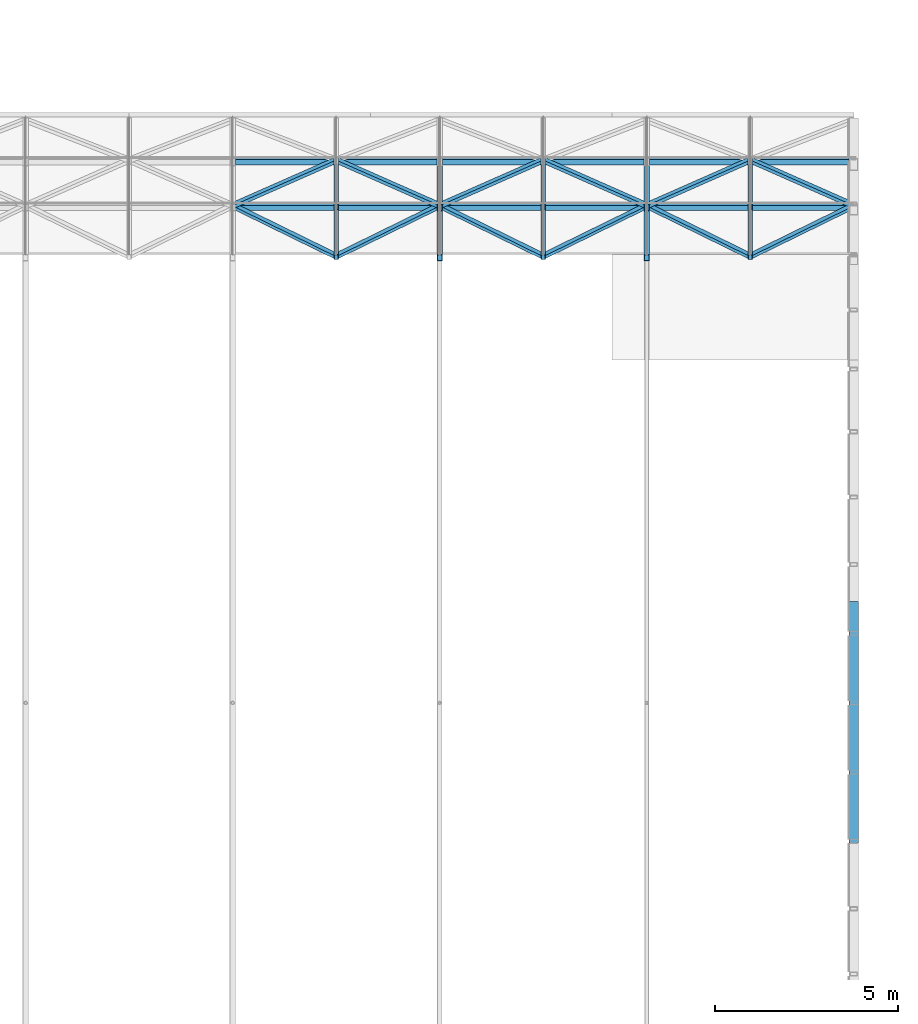
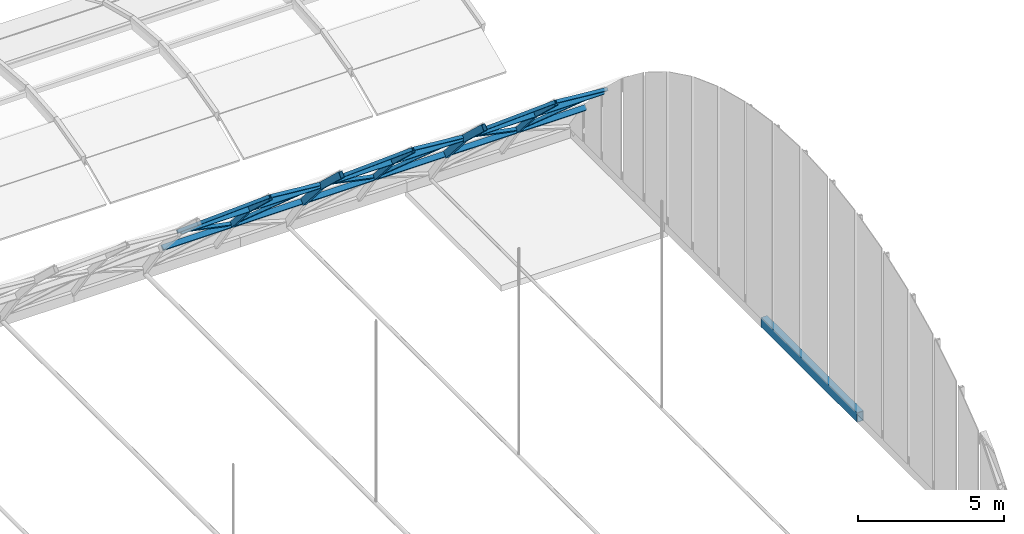
# One storey, part 35 of 109: 34 members, 1 beam.
"""IFC4 building model written with IfcOpenShell, lengths in metres."""

from ifc_helpers import new_model, si_unit, direction, frame, origin, origin_2d, place, context, subcontext, project, spatial, hollow_rectangle, extrude, material, material_profile, profile_set, type_object, element, save


model = new_model("IFC4")

# Units and contexts
model_context = context("Model", 3, precision=1e-05, world=origin(), true_north=direction((0.0, 1.0)))
body_context = subcontext(model_context, "Body", "Model", "MODEL_VIEW")
ifc_project = project(units=[si_unit("LENGTHUNIT", "METRE"), si_unit("AREAUNIT", "SQUARE_METRE"), si_unit("VOLUMEUNIT", "CUBIC_METRE"), si_unit("PLANEANGLEUNIT", "RADIAN"), si_unit("MASSUNIT", "GRAM", prefix="KILO")], contexts=[model_context])

# Site, building, storey
site_placement = place(None, origin())
site = spatial("IfcSite", under=ifc_project, at=site_placement, CompositionType="ELEMENT")
building_placement = place(site_placement, origin())
building = spatial("IfcBuilding", under=site, at=building_placement, Name="Lantern Court Research Institute", CompositionType="ELEMENT")
storey_placement = place(building_placement, frame((0.0, 0.0, 14.39990234375)))
storey = spatial("IfcBuildingStorey", under=building, at=storey_placement, Name="L03", CompositionType="ELEMENT", Elevation=14.39990234375)

# Beam
ifc_material_1 = material(Name="Structural steel S355", Category="steel")
ifc_material_profile_1 = material_profile(ifc_material_1, hollow_rectangle(XDim=0.25, YDim=0.39990234375, WallThickness=0.012451171875, at=origin_2d()), Name="Gable sill beam RHS 400 x 250 x 12.5")
ifc_profile_set_1 = profile_set([ifc_material_profile_1], Name="Structural steel S355")
beam_type = type_object("IfcBeamType", Name="Gable sill beam RHS 400 x 250 x 12.5", PredefinedType="BEAM", material=ifc_profile_set_1)
beam_placement = place(storey_placement, frame((79.199951171875, 36.300048828125, 0.2001953125), z_axis=(0.0, 1.0, 0.0), x_axis=(-1.0, 0.0, 0.0)))
element("IfcBeam", 1, at=beam_placement, inside=storey, type_object=beam_type, Name="Sill beam E", PredefinedType="BEAM", context=body_context, shape_type="SweptSolid", body=[
    extrude(hollow_rectangle(XDim=0.25, YDim=0.39990234375, WallThickness=0.012451171875, at=origin_2d()), origin(), (0.0, 0.0, 1.0), 6.599853515625),
])

# Members
ifc_material_2 = material(Name="Structural steel S355", Category="steel")
ifc_material_profile_2 = material_profile(ifc_material_2, hollow_rectangle(XDim=0.1201171875, YDim=0.1201171875, WallThickness=0.008056640625, at=origin_2d()), Name="Gridshell haunch diagonal RHS 120 x 120 x 8")
ifc_profile_set_2 = profile_set([ifc_material_profile_2], Name="Structural steel S355")
member_type_1 = type_object("IfcMemberType", Name="Gridshell haunch diagonal RHS 120 x 120 x 8", PredefinedType="BRACE", material=ifc_profile_set_2)
for number, where, z_axis, x_axis, name in (
    (2, (65.05712890625, 52.330322265625, 4.652099609375), (-0.829761681147, 0.406358344452, -0.382581296451), (-0.558117866133, -0.60414109168, 0.568786417601), "Gridshell diagonal"),
    (3, (62.228515625, 53.71142578125, 3.352294921875), (0.829775196139, 0.365828733116, -0.421476525917), (-0.558097772678, 0.543914119911, -0.62664527948), "Gridshell diagonal"),
    (4, (65.05712890625, 52.330322265625, 4.652099609375), (0.829761681147, 0.406358344452, -0.382581296451), (-0.558117866133, 0.60414109168, -0.568786417601), "Gridshell diagonal"),
    (5, (67.8857421875, 53.71142578125, 3.352294921875), (-0.829775196139, 0.365828733116, -0.421476525917), (-0.558097772678, -0.543914119911, 0.62664527948), "Gridshell diagonal"),
    (6, (70.71435546875, 52.330322265625, 4.652099609375), (-0.829761681147, 0.406358344452, -0.382581296451), (-0.558117866133, -0.60414109168, 0.568786417601), "Gridshell diagonal"),
    (7, (67.8857421875, 53.71142578125, 3.352294921875), (0.829775196139, 0.365828733116, -0.421476525917), (-0.558097772678, 0.543914119911, -0.62664527948), "Gridshell diagonal"),
    (8, (70.71435546875, 52.330322265625, 4.652099609375), (0.829761681147, 0.406358344452, -0.382581296451), (-0.558117866133, 0.60414109168, -0.568786417601), "Gridshell diagonal"),
    (9, (73.54296875, 53.71142578125, 3.352294921875), (-0.829775196139, 0.365828733116, -0.421476525917), (-0.558097772678, -0.543914119911, 0.62664527948), "Gridshell diagonal"),
):
    element("IfcMember", number, at=place(storey_placement, frame(where, z_axis=z_axis, x_axis=x_axis)), inside=storey, type_object=member_type_1, Name=name, PredefinedType="BRACE", context=body_context, shape_type="SweptSolid", body=[
        extrude(hollow_rectangle(XDim=0.1201171875, YDim=0.1201171875, WallThickness=0.008056640625, at=origin_2d()), origin(), (0.0, 0.0, 1.0), 3.408935546875),
    ])
for number, where, z_axis, x_axis, name in (
    (10, (76.371337890625, 52.330322265625, 4.652099609375), (-0.82973937059, 0.406382493632, -0.382604032602), (-0.558151034099, -0.604115905866, 0.568780621518), "Gridshell diagonal"),
    (11, (73.54296875, 53.71142578125, 3.352294921875), (0.829752886825, 0.365850474398, -0.42150157436), (-0.55813094053, 0.54388935428, -0.62663723439), "Gridshell diagonal"),
):
    element("IfcMember", number, at=place(storey_placement, frame(where, z_axis=z_axis, x_axis=x_axis)), inside=storey, type_object=member_type_1, Name=name, PredefinedType="BRACE", context=body_context, shape_type="SweptSolid", body=[
        extrude(hollow_rectangle(XDim=0.1201171875, YDim=0.1201171875, WallThickness=0.008056640625, at=origin_2d()), origin(), (0.0, 0.0, 1.0), 3.40869140625),
    ])
for number, where, z_axis, x_axis, name in (
    (12, (76.371337890625, 52.330322265625, 4.652099609375), (0.829761681147, 0.406358344452, -0.382581296451), (-0.558117866133, 0.60414109168, -0.568786417601), "Gridshell diagonal"),
    (13, (79.199951171875, 53.71142578125, 3.352294921875), (-0.829775196139, 0.365828733116, -0.421476525917), (-0.558097772678, -0.543914119911, 0.62664527948), "Gridshell diagonal"),
):
    element("IfcMember", number, at=place(storey_placement, frame(where, z_axis=z_axis, x_axis=x_axis)), inside=storey, type_object=member_type_1, Name=name, PredefinedType="BRACE", context=body_context, shape_type="SweptSolid", body=[
        extrude(hollow_rectangle(XDim=0.1201171875, YDim=0.1201171875, WallThickness=0.008056640625, at=origin_2d()), origin(), (0.0, 0.0, 1.0), 3.408935546875),
    ])
ifc_material_3 = material(Name="Structural steel S355", Category="steel")
ifc_material_profile_3 = material_profile(ifc_material_3, hollow_rectangle(XDim=0.10009765625, YDim=0.199951171875, WallThickness=0.008056640625, at=origin_2d()), Name="Gridshell purlin RHS 200 x 100 x 8")
ifc_profile_set_3 = profile_set([ifc_material_profile_3], Name="Structural steel S355")
member_type_2 = type_object("IfcMemberType", Name="Gridshell purlin RHS 200 x 100 x 8", PredefinedType="PURLIN", material=ifc_profile_set_3)
for number, where, z_axis, x_axis, name in (
    (14, (62.303466796875, 53.6845703125, 3.322265625), (1.0, 0.0, 0.0), (0.0, 0.692674230917, -0.721250587399), "Gridshell purlin"),
    (15, (65.1171875, 53.6845703125, 3.322265625), (1.0, 0.0, 0.0), (0.0, 0.692674230917, -0.721250587399), "Gridshell purlin"),
    (16, (67.960693359375, 53.6845703125, 3.322265625), (1.0, 0.0, 0.0), (0.0, 0.692674230917, -0.721250587399), "Gridshell purlin"),
    (17, (70.774169921875, 53.6845703125, 3.322265625), (1.0, 0.0, 0.0), (0.0, 0.692674230917, -0.721250587399), "Gridshell purlin"),
    (18, (73.617919921875, 53.6845703125, 3.322265625), (1.0, 0.0, 0.0), (0.0, 0.692674230917, -0.721250587399), "Gridshell purlin"),
):
    element("IfcMember", number, at=place(storey_placement, frame(where, z_axis=z_axis, x_axis=x_axis)), inside=storey, type_object=member_type_2, Name=name, PredefinedType="PURLIN", context=body_context, shape_type="SweptSolid", body=[
        extrude(hollow_rectangle(XDim=0.10009765625, YDim=0.199951171875, WallThickness=0.008056640625, at=origin_2d()), origin(), (0.0, 0.0, 1.0), 2.693603515625),
    ])
member_1_placement = place(storey_placement, frame((76.431396484375, 53.6845703125, 3.322265625), z_axis=(1.0, 0.0, 0.0), x_axis=(0.0, 0.692674230917, -0.721250587399)))
element("IfcMember", 19, at=member_1_placement, inside=storey, type_object=member_type_2, Name="Gridshell purlin", PredefinedType="PURLIN", context=body_context, shape_type="SweptSolid", body=[
    extrude(hollow_rectangle(XDim=0.10009765625, YDim=0.199951171875, WallThickness=0.008056640625, at=origin_2d()), origin(), (0.0, 0.0, 1.0), 2.6435546875),
])
for number, where, z_axis, x_axis, name in (
    (20, (62.303466796875, 54.925048828125, 1.893310546875), (1.0, 0.0, 0.0), (0.0, 0.616657332959, -0.787231689979), "Gridshell purlin"),
    (21, (65.1171875, 54.925048828125, 1.893310546875), (1.0, 0.0, 0.0), (0.0, 0.616657332959, -0.787231689979), "Gridshell purlin"),
    (22, (67.960693359375, 54.925048828125, 1.893310546875), (1.0, 0.0, 0.0), (0.0, 0.616657332959, -0.787231689979), "Gridshell purlin"),
    (23, (70.774169921875, 54.925048828125, 1.893310546875), (1.0, 0.0, 0.0), (0.0, 0.616657332959, -0.787231689979), "Gridshell purlin"),
    (24, (73.617919921875, 54.925048828125, 1.893310546875), (1.0, 0.0, 0.0), (0.0, 0.616657332959, -0.787231689979), "Gridshell purlin"),
):
    element("IfcMember", number, at=place(storey_placement, frame(where, z_axis=z_axis, x_axis=x_axis)), inside=storey, type_object=member_type_2, Name=name, PredefinedType="PURLIN", context=body_context, shape_type="SweptSolid", body=[
        extrude(hollow_rectangle(XDim=0.10009765625, YDim=0.199951171875, WallThickness=0.008056640625, at=origin_2d()), origin(), (0.0, 0.0, 1.0), 2.693603515625),
    ])
member_2_placement = place(storey_placement, frame((76.431396484375, 54.925048828125, 1.893310546875), z_axis=(1.0, 0.0, 0.0), x_axis=(0.0, 0.616657332959, -0.787231689979)))
element("IfcMember", 25, at=member_2_placement, inside=storey, type_object=member_type_2, Name="Gridshell purlin", PredefinedType="PURLIN", context=body_context, shape_type="SweptSolid", body=[
    extrude(hollow_rectangle(XDim=0.10009765625, YDim=0.199951171875, WallThickness=0.008056640625, at=origin_2d()), origin(), (0.0, 0.0, 1.0), 2.6435546875),
])
ifc_material_4 = material(Name="Structural steel S355", Category="steel")
ifc_material_profile_4 = material_profile(ifc_material_4, hollow_rectangle(XDim=0.1201171875, YDim=0.199951171875, WallThickness=0.008056640625, at=origin_2d()), Name="Gridshell secondary rib RHS 200 x 120 x 8")
ifc_profile_set_4 = profile_set([ifc_material_profile_4], Name="Structural steel S355")
member_type_3 = type_object("IfcMemberType", Name="Gridshell secondary rib RHS 200 x 120 x 8", PredefinedType="RAFTER", material=ifc_profile_set_4)
member_3_placement = place(storey_placement, frame((65.05712890625, 52.302978515625, 4.622802734375), z_axis=(0.0, 0.728151013069, -0.68541673613), x_axis=(-1.0, 0.0, 0.0)))
element("IfcMember", 26, at=member_3_placement, inside=storey, type_object=member_type_3, Name="Gridshell secondary rib", PredefinedType="RAFTER", context=body_context, shape_type="SweptSolid", body=[
    extrude(hollow_rectangle(XDim=0.1201171875, YDim=0.199951171875, WallThickness=0.008056640625, at=origin_2d()), origin(), (0.0, 0.0, 1.0), 1.90234375),
])
member_4_placement = place(storey_placement, frame((65.05712890625, 53.68115234375, 3.326171875), z_axis=(0.0, 0.655492193344, -0.755201949458), x_axis=(-1.0, 0.0, 0.0)))
element("IfcMember", 27, at=member_4_placement, inside=storey, type_object=member_type_3, Name="Gridshell secondary rib", PredefinedType="RAFTER", context=body_context, shape_type="SweptSolid", body=[
    extrude(hollow_rectangle(XDim=0.1201171875, YDim=0.199951171875, WallThickness=0.008056640625, at=origin_2d()), origin(), (0.0, 0.0, 1.0), 1.902587890625),
])
member_5_placement = place(storey_placement, frame((70.71435546875, 52.302978515625, 4.622802734375), z_axis=(0.0, 0.728151013069, -0.68541673613), x_axis=(-1.0, 0.0, 0.0)))
element("IfcMember", 28, at=member_5_placement, inside=storey, type_object=member_type_3, Name="Gridshell secondary rib", PredefinedType="RAFTER", context=body_context, shape_type="SweptSolid", body=[
    extrude(hollow_rectangle(XDim=0.1201171875, YDim=0.199951171875, WallThickness=0.008056640625, at=origin_2d()), origin(), (0.0, 0.0, 1.0), 1.90234375),
])
member_6_placement = place(storey_placement, frame((70.71435546875, 53.68115234375, 3.326171875), z_axis=(0.0, 0.655492193344, -0.755201949458), x_axis=(-1.0, 0.0, 0.0)))
element("IfcMember", 29, at=member_6_placement, inside=storey, type_object=member_type_3, Name="Gridshell secondary rib", PredefinedType="RAFTER", context=body_context, shape_type="SweptSolid", body=[
    extrude(hollow_rectangle(XDim=0.1201171875, YDim=0.199951171875, WallThickness=0.008056640625, at=origin_2d()), origin(), (0.0, 0.0, 1.0), 1.902587890625),
])
member_7_placement = place(storey_placement, frame((76.371337890625, 52.302978515625, 4.622802734375), z_axis=(0.0, 0.728151013069, -0.68541673613), x_axis=(-1.0, 0.0, 0.0)))
element("IfcMember", 30, at=member_7_placement, inside=storey, type_object=member_type_3, Name="Gridshell secondary rib", PredefinedType="RAFTER", context=body_context, shape_type="SweptSolid", body=[
    extrude(hollow_rectangle(XDim=0.1201171875, YDim=0.199951171875, WallThickness=0.008056640625, at=origin_2d()), origin(), (0.0, 0.0, 1.0), 1.90234375),
])
member_8_placement = place(storey_placement, frame((76.371337890625, 53.68115234375, 3.326171875), z_axis=(0.0, 0.655492193344, -0.755201949458), x_axis=(-1.0, 0.0, 0.0)))
element("IfcMember", 31, at=member_8_placement, inside=storey, type_object=member_type_3, Name="Gridshell secondary rib", PredefinedType="RAFTER", context=body_context, shape_type="SweptSolid", body=[
    extrude(hollow_rectangle(XDim=0.1201171875, YDim=0.199951171875, WallThickness=0.008056640625, at=origin_2d()), origin(), (0.0, 0.0, 1.0), 1.902587890625),
])
ifc_material_5 = material(Name="Structural steel S355", Category="steel")
ifc_material_profile_5 = material_profile(ifc_material_5, hollow_rectangle(XDim=0.14990234375, YDim=0.25, WallThickness=0.010009765625, at=origin_2d()), Name="Gridshell springing rib RHS 250 x 150 x 10")
ifc_profile_set_5 = profile_set([ifc_material_profile_5], Name="Structural steel S355")
member_type_4 = type_object("IfcMemberType", Name="Gridshell springing rib RHS 250 x 150 x 10", PredefinedType="RAFTER", material=ifc_profile_set_5)
member_9_placement = place(storey_placement, frame((67.8857421875, 52.285888671875, 4.604736328125), z_axis=(0.0, 0.728026662528, -0.685548815657), x_axis=(-1.0, 0.0, 0.0)))
element("IfcMember", 32, at=member_9_placement, inside=storey, type_object=member_type_4, Name="Gridshell rib", PredefinedType="RAFTER", context=body_context, shape_type="SweptSolid", body=[
    extrude(hollow_rectangle(XDim=0.14990234375, YDim=0.25, WallThickness=0.010009765625, at=origin_2d()), origin(), (0.0, 0.0, 1.0), 1.90234375),
])
member_10_placement = place(storey_placement, frame((67.8857421875, 53.662353515625, 3.309814453125), z_axis=(0.0, 0.655492193344, -0.755201949458), x_axis=(-1.0, 0.0, 0.0)))
element("IfcMember", 33, at=member_10_placement, inside=storey, type_object=member_type_4, Name="Gridshell rib", PredefinedType="RAFTER", context=body_context, shape_type="SweptSolid", body=[
    extrude(hollow_rectangle(XDim=0.14990234375, YDim=0.25, WallThickness=0.010009765625, at=origin_2d()), origin(), (0.0, 0.0, 1.0), 1.902587890625),
])
member_11_placement = place(storey_placement, frame((73.54296875, 52.285888671875, 4.604736328125), z_axis=(0.0, 0.728026662528, -0.685548815657), x_axis=(-1.0, 0.0, 0.0)))
element("IfcMember", 34, at=member_11_placement, inside=storey, type_object=member_type_4, Name="Gridshell rib", PredefinedType="RAFTER", context=body_context, shape_type="SweptSolid", body=[
    extrude(hollow_rectangle(XDim=0.14990234375, YDim=0.25, WallThickness=0.010009765625, at=origin_2d()), origin(), (0.0, 0.0, 1.0), 1.90234375),
])
member_12_placement = place(storey_placement, frame((73.54296875, 53.662353515625, 3.309814453125), z_axis=(0.0, 0.655492193344, -0.755201949458), x_axis=(-1.0, 0.0, 0.0)))
element("IfcMember", 35, at=member_12_placement, inside=storey, type_object=member_type_4, Name="Gridshell rib", PredefinedType="RAFTER", context=body_context, shape_type="SweptSolid", body=[
    extrude(hollow_rectangle(XDim=0.14990234375, YDim=0.25, WallThickness=0.010009765625, at=origin_2d()), origin(), (0.0, 0.0, 1.0), 1.902587890625),
])

save(model, "model.ifc")
